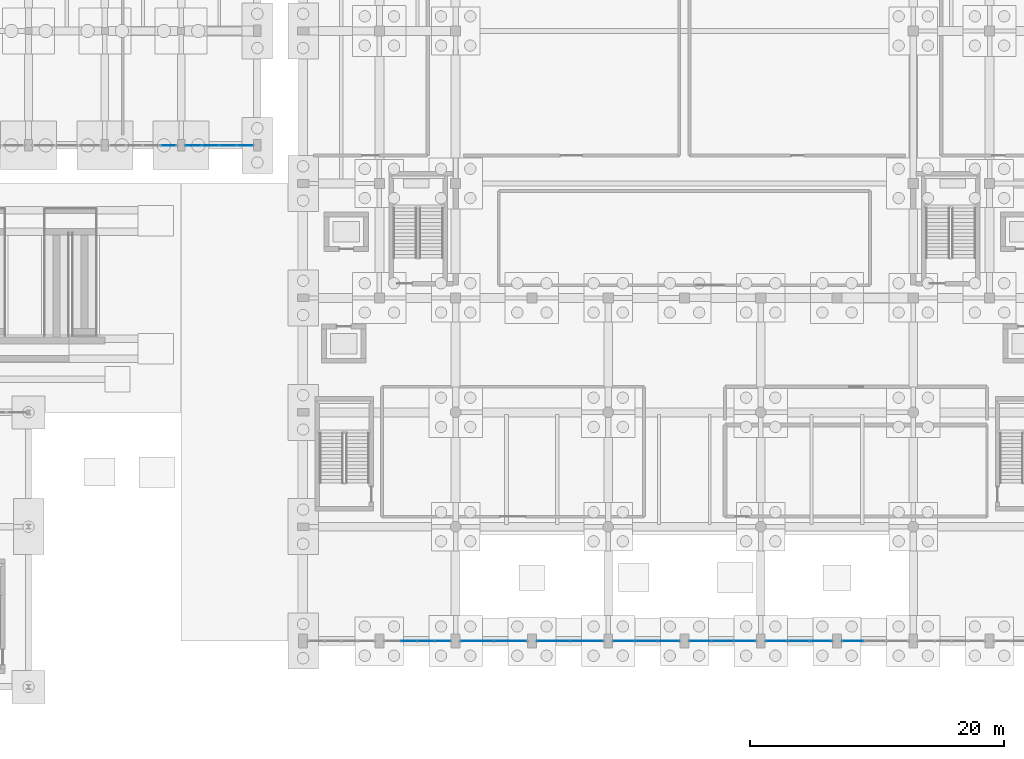
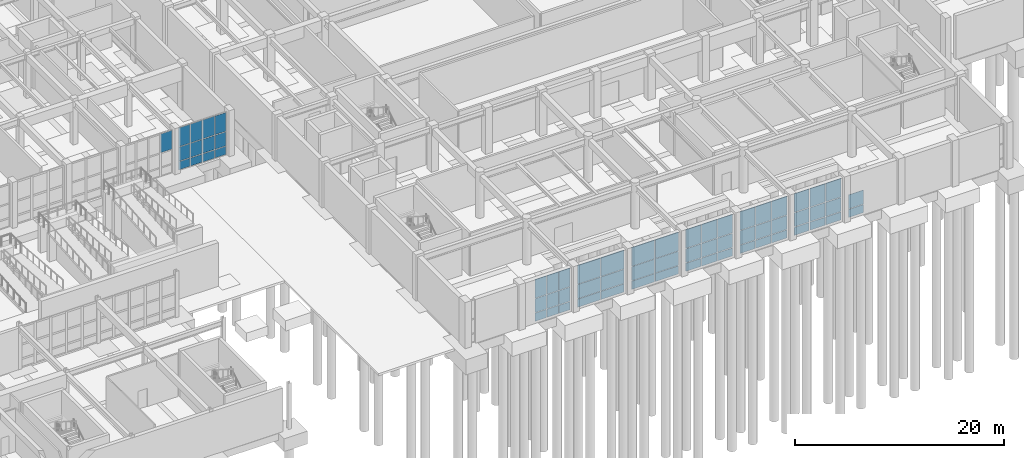
# One storey, part 44 of 69: 63 plates, 9 elements without a shape of their own.
"""IFC4 building model written with IfcOpenShell, lengths in metres."""

from ifc_helpers import new_model, si_unit, direction, frame, origin, origin_2d, place, context, subcontext, project, spatial, rectangle, extrude, material, layer, layer_set, type_object, element, aggregate, save


model = new_model("IFC4")

# Units and contexts
model_context = context("Model", 3, precision=1e-05, world=origin(), true_north=direction((0.0, 1.0)))
body_context = subcontext(model_context, "Body", "Model", "MODEL_VIEW")
ifc_project = project(units=[si_unit("LENGTHUNIT", "METRE"), si_unit("AREAUNIT", "SQUARE_METRE"), si_unit("VOLUMEUNIT", "CUBIC_METRE"), si_unit("PLANEANGLEUNIT", "RADIAN"), si_unit("MASSUNIT", "GRAM", prefix="KILO")], contexts=[model_context])

# Site, building, storey
site_placement = place(None, origin())
site = spatial("IfcSite", under=ifc_project, at=site_placement, CompositionType="ELEMENT")
building_placement = place(site_placement, origin())
building = spatial("IfcBuilding", under=site, at=building_placement, Name="Vaelkrest Opera House", CompositionType="ELEMENT")
storey_placement = place(building_placement, frame((0.0, 0.0, -5.39990234375)))
storey = spatial("IfcBuildingStorey", under=building, at=storey_placement, Name="B1", CompositionType="ELEMENT", Elevation=-5.39990234375)

# Curtain wall, plates
ifc_material_1 = material(Name="Dark bronze anodized aluminium", Category="aluminium")
ifc_layer_1 = layer(ifc_material_1, 0.179931640625)
ifc_layer_set_1 = layer_set([ifc_layer_1], Name="Dark bronze anodized aluminium")
curtain_wall_type_1 = type_object("IfcCurtainWallType", Name="CW01", PredefinedType="NOTDEFINED", material=ifc_layer_set_1)
curtain_wall_1_placement = place(storey_placement, origin())
curtain_wall_1 = element("IfcCurtainWall", 1, at=curtain_wall_1_placement, inside=storey, type_object=curtain_wall_type_1, Name="Curtain wall CW-B1-009", PredefinedType="NOTDEFINED")
ifc_material_2 = material(Name="Double low-E insulated glazing", Category="glass")
ifc_layer_2 = layer(ifc_material_2, 0.02587890625)
ifc_layer_set_2 = layer_set([ifc_layer_2], Name="Double low-E insulated glazing")
plate_type_1 = type_object("IfcPlateType", Name="CWP01", PredefinedType="CURTAIN_PANEL", material=ifc_layer_set_2)
plate_1_placement = place(storey_placement, frame((-19.02734375, -55.800048828125, 0.06494140625), z_axis=(0.0, 0.0, 1.0), x_axis=(-1.0, 0.0, 0.0)))
plate_1 = element("IfcPlate", 2, at=plate_1_placement, type_object=plate_type_1, Name="CW01 panel 1.1", PredefinedType="CURTAIN_PANEL", context=body_context, shape_type="SweptSolid", body=[
    extrude(rectangle(XDim=1.228515625, YDim=0.02587890625, at=origin_2d()), origin(), (0.0, 0.0, 1.0), 0.952392578125),
])
plate_2_placement = place(storey_placement, frame((-19.02734375, -55.800048828125, 1.08251953125), z_axis=(0.0, 0.0, 1.0), x_axis=(-1.0, 0.0, 0.0)))
plate_2 = element("IfcPlate", 3, at=plate_2_placement, type_object=plate_type_1, Name="CW01 panel 1.2", PredefinedType="CURTAIN_PANEL", context=body_context, shape_type="SweptSolid", body=[
    extrude(rectangle(XDim=1.228515625, YDim=0.02587890625, at=origin_2d()), origin(), (0.0, 0.0, 1.0), 1.635009765625),
])
plate_3_placement = place(storey_placement, frame((-19.02734375, -55.800048828125, 2.7822265625), z_axis=(0.0, 0.0, 1.0), x_axis=(-1.0, 0.0, 0.0)))
plate_3 = element("IfcPlate", 4, at=plate_3_placement, type_object=plate_type_1, Name="CW01 panel 1.3", PredefinedType="CURTAIN_PANEL", context=body_context, shape_type="SweptSolid", body=[
    extrude(rectangle(XDim=1.228515625, YDim=0.02587890625, at=origin_2d()), origin(), (0.0, 0.0, 1.0), 2.202392578125),
])
plate_4_placement = place(storey_placement, frame((-20.3369140625, -55.800048828125, 0.06494140625), z_axis=(0.0, 0.0, 1.0), x_axis=(-1.0, 0.0, 0.0)))
plate_4 = element("IfcPlate", 5, at=plate_4_placement, type_object=plate_type_1, Name="CW01 panel 2.1", PredefinedType="CURTAIN_PANEL", context=body_context, shape_type="SweptSolid", body=[
    extrude(rectangle(XDim=1.260986328125, YDim=0.02587890625, at=origin_2d()), origin(), (0.0, 0.0, 1.0), 0.952392578125),
])
plate_5_placement = place(storey_placement, frame((-20.3369140625, -55.800048828125, 1.08251953125), z_axis=(0.0, 0.0, 1.0), x_axis=(-1.0, 0.0, 0.0)))
plate_5 = element("IfcPlate", 6, at=plate_5_placement, type_object=plate_type_1, Name="CW01 panel 2.2", PredefinedType="CURTAIN_PANEL", context=body_context, shape_type="SweptSolid", body=[
    extrude(rectangle(XDim=1.260986328125, YDim=0.02587890625, at=origin_2d()), origin(), (0.0, 0.0, 1.0), 1.635009765625),
])
plate_6_placement = place(storey_placement, frame((-20.3369140625, -55.800048828125, 2.7822265625), z_axis=(0.0, 0.0, 1.0), x_axis=(-1.0, 0.0, 0.0)))
plate_6 = element("IfcPlate", 7, at=plate_6_placement, type_object=plate_type_1, Name="CW01 panel 2.3", PredefinedType="CURTAIN_PANEL", context=body_context, shape_type="SweptSolid", body=[
    extrude(rectangle(XDim=1.260986328125, YDim=0.02587890625, at=origin_2d()), origin(), (0.0, 0.0, 1.0), 2.202392578125),
])
plate_7_placement = place(storey_placement, frame((-21.6630859375, -55.800048828125, 0.06494140625), z_axis=(0.0, 0.0, 1.0), x_axis=(-1.0, 0.0, 0.0)))
plate_7 = element("IfcPlate", 8, at=plate_7_placement, type_object=plate_type_1, Name="CW01 panel 3.1", PredefinedType="CURTAIN_PANEL", context=body_context, shape_type="SweptSolid", body=[
    extrude(rectangle(XDim=1.260986328125, YDim=0.02587890625, at=origin_2d()), origin(), (0.0, 0.0, 1.0), 0.952392578125),
])
plate_8_placement = place(storey_placement, frame((-21.6630859375, -55.800048828125, 1.08251953125), z_axis=(0.0, 0.0, 1.0), x_axis=(-1.0, 0.0, 0.0)))
plate_8 = element("IfcPlate", 9, at=plate_8_placement, type_object=plate_type_1, Name="CW01 panel 3.2", PredefinedType="CURTAIN_PANEL", context=body_context, shape_type="SweptSolid", body=[
    extrude(rectangle(XDim=1.260986328125, YDim=0.02587890625, at=origin_2d()), origin(), (0.0, 0.0, 1.0), 1.635009765625),
])
plate_9_placement = place(storey_placement, frame((-21.6630859375, -55.800048828125, 2.7822265625), z_axis=(0.0, 0.0, 1.0), x_axis=(-1.0, 0.0, 0.0)))
plate_9 = element("IfcPlate", 10, at=plate_9_placement, type_object=plate_type_1, Name="CW01 panel 3.3", PredefinedType="CURTAIN_PANEL", context=body_context, shape_type="SweptSolid", body=[
    extrude(rectangle(XDim=1.260986328125, YDim=0.02587890625, at=origin_2d()), origin(), (0.0, 0.0, 1.0), 2.202392578125),
])
aggregate(curtain_wall_1, [plate_1, plate_2, plate_3, plate_4, plate_5, plate_6, plate_7, plate_8, plate_9])

curtain_wall_2_placement = place(storey_placement, origin())
curtain_wall_2 = element("IfcCurtainWall", 11, at=curtain_wall_2_placement, inside=storey, type_object=curtain_wall_type_1, Name="Curtain wall CW-B1-081", PredefinedType="NOTDEFINED")
plate_10_placement = place(storey_placement, frame((-34.58984375, -16.800048828125, 0.06494140625), z_axis=(0.0, 0.0, 1.0), x_axis=(-1.0, 0.0, 0.0)))
plate_10 = element("IfcPlate", 12, at=plate_10_placement, type_object=plate_type_1, Name="CW01 panel 1.1", PredefinedType="CURTAIN_PANEL", context=body_context, shape_type="SweptSolid", body=[
    extrude(rectangle(XDim=1.25341796875, YDim=0.02587890625, at=origin_2d()), origin(), (0.0, 0.0, 1.0), 0.952392578125),
])
plate_11_placement = place(storey_placement, frame((-34.58984375, -16.800048828125, 1.08251953125), z_axis=(0.0, 0.0, 1.0), x_axis=(-1.0, 0.0, 0.0)))
plate_11 = element("IfcPlate", 13, at=plate_11_placement, type_object=plate_type_1, Name="CW01 panel 1.2", PredefinedType="CURTAIN_PANEL", context=body_context, shape_type="SweptSolid", body=[
    extrude(rectangle(XDim=1.25341796875, YDim=0.02587890625, at=origin_2d()), origin(), (0.0, 0.0, 1.0), 1.635009765625),
])
plate_12_placement = place(storey_placement, frame((-34.58984375, -16.800048828125, 2.7822265625), z_axis=(0.0, 0.0, 1.0), x_axis=(-1.0, 0.0, 0.0)))
plate_12 = element("IfcPlate", 14, at=plate_12_placement, type_object=plate_type_1, Name="CW01 panel 1.3", PredefinedType="CURTAIN_PANEL", context=body_context, shape_type="SweptSolid", body=[
    extrude(rectangle(XDim=1.25341796875, YDim=0.02587890625, at=origin_2d()), origin(), (0.0, 0.0, 1.0), 2.202392578125),
])
plate_13_placement = place(storey_placement, frame((-35.924560546875, -16.800048828125, 0.06494140625), z_axis=(0.0, 0.0, 1.0), x_axis=(-1.0, 0.0, 0.0)))
plate_13 = element("IfcPlate", 15, at=plate_13_placement, type_object=plate_type_1, Name="CW01 panel 2.1", PredefinedType="CURTAIN_PANEL", context=body_context, shape_type="SweptSolid", body=[
    extrude(rectangle(XDim=1.285888671875, YDim=0.02587890625, at=origin_2d()), origin(), (0.0, 0.0, 1.0), 0.952392578125),
])
plate_14_placement = place(storey_placement, frame((-35.924560546875, -16.800048828125, 1.08251953125), z_axis=(0.0, 0.0, 1.0), x_axis=(-1.0, 0.0, 0.0)))
plate_14 = element("IfcPlate", 16, at=plate_14_placement, type_object=plate_type_1, Name="CW01 panel 2.2", PredefinedType="CURTAIN_PANEL", context=body_context, shape_type="SweptSolid", body=[
    extrude(rectangle(XDim=1.285888671875, YDim=0.02587890625, at=origin_2d()), origin(), (0.0, 0.0, 1.0), 1.635009765625),
])
plate_15_placement = place(storey_placement, frame((-35.924560546875, -16.800048828125, 2.7822265625), z_axis=(0.0, 0.0, 1.0), x_axis=(-1.0, 0.0, 0.0)))
plate_15 = element("IfcPlate", 17, at=plate_15_placement, type_object=plate_type_1, Name="CW01 panel 2.3", PredefinedType="CURTAIN_PANEL", context=body_context, shape_type="SweptSolid", body=[
    extrude(rectangle(XDim=1.285888671875, YDim=0.02587890625, at=origin_2d()), origin(), (0.0, 0.0, 1.0), 2.202392578125),
])
plate_16_placement = place(storey_placement, frame((-37.275390625, -16.800048828125, 0.06494140625), z_axis=(0.0, 0.0, 1.0), x_axis=(-1.0, 0.0, 0.0)))
plate_16 = element("IfcPlate", 18, at=plate_16_placement, type_object=plate_type_1, Name="CW01 panel 3.1", PredefinedType="CURTAIN_PANEL", context=body_context, shape_type="SweptSolid", body=[
    extrude(rectangle(XDim=1.285888671875, YDim=0.02587890625, at=origin_2d()), origin(), (0.0, 0.0, 1.0), 0.952392578125),
])
plate_17_placement = place(storey_placement, frame((-37.275390625, -16.800048828125, 1.08251953125), z_axis=(0.0, 0.0, 1.0), x_axis=(-1.0, 0.0, 0.0)))
plate_17 = element("IfcPlate", 19, at=plate_17_placement, type_object=plate_type_1, Name="CW01 panel 3.2", PredefinedType="CURTAIN_PANEL", context=body_context, shape_type="SweptSolid", body=[
    extrude(rectangle(XDim=1.285888671875, YDim=0.02587890625, at=origin_2d()), origin(), (0.0, 0.0, 1.0), 1.635009765625),
])
plate_18_placement = place(storey_placement, frame((-37.275390625, -16.800048828125, 2.7822265625), z_axis=(0.0, 0.0, 1.0), x_axis=(-1.0, 0.0, 0.0)))
plate_18 = element("IfcPlate", 20, at=plate_18_placement, type_object=plate_type_1, Name="CW01 panel 3.3", PredefinedType="CURTAIN_PANEL", context=body_context, shape_type="SweptSolid", body=[
    extrude(rectangle(XDim=1.285888671875, YDim=0.02587890625, at=origin_2d()), origin(), (0.0, 0.0, 1.0), 2.202392578125),
])
plate_19_placement = place(storey_placement, frame((-38.6103515625, -16.800048828125, 0.06494140625), z_axis=(0.0, 0.0, 1.0), x_axis=(-1.0, 0.0, 0.0)))
plate_19 = element("IfcPlate", 21, at=plate_19_placement, type_object=plate_type_1, Name="CW01 panel 4.1", PredefinedType="CURTAIN_PANEL", context=body_context, shape_type="SweptSolid", body=[
    extrude(rectangle(XDim=1.25341796875, YDim=0.02587890625, at=origin_2d()), origin(), (0.0, 0.0, 1.0), 0.952392578125),
])
plate_20_placement = place(storey_placement, frame((-38.6103515625, -16.800048828125, 1.08251953125), z_axis=(0.0, 0.0, 1.0), x_axis=(-1.0, 0.0, 0.0)))
plate_20 = element("IfcPlate", 22, at=plate_20_placement, type_object=plate_type_1, Name="CW01 panel 4.2", PredefinedType="CURTAIN_PANEL", context=body_context, shape_type="SweptSolid", body=[
    extrude(rectangle(XDim=1.25341796875, YDim=0.02587890625, at=origin_2d()), origin(), (0.0, 0.0, 1.0), 1.635009765625),
])
plate_21_placement = place(storey_placement, frame((-38.6103515625, -16.800048828125, 2.7822265625), z_axis=(0.0, 0.0, 1.0), x_axis=(-1.0, 0.0, 0.0)))
plate_21 = element("IfcPlate", 23, at=plate_21_placement, type_object=plate_type_1, Name="CW01 panel 4.3", PredefinedType="CURTAIN_PANEL", context=body_context, shape_type="SweptSolid", body=[
    extrude(rectangle(XDim=1.25341796875, YDim=0.02587890625, at=origin_2d()), origin(), (0.0, 0.0, 1.0), 2.202392578125),
])
aggregate(curtain_wall_2, [plate_10, plate_11, plate_12, plate_13, plate_14, plate_15, plate_16, plate_17, plate_18, plate_19, plate_20, plate_21])

# Curtain wall, plate
ifc_layer_3 = layer(ifc_material_1, 0.18994140625)
ifc_layer_set_3 = layer_set([ifc_layer_3], Name="Dark bronze anodized aluminium")
curtain_wall_type_2 = type_object("IfcCurtainWallType", Name="CW02", PredefinedType="NOTDEFINED", material=ifc_layer_set_3)
curtain_wall_3_placement = place(storey_placement, origin())
curtain_wall_3 = element("IfcCurtainWall", 24, at=curtain_wall_3_placement, inside=storey, type_object=curtain_wall_type_2, Name="Curtain wall CW-B1-082", PredefinedType="NOTDEFINED")
ifc_layer_4 = layer(ifc_material_2, 0.030029296875)
ifc_layer_set_4 = layer_set([ifc_layer_4], Name="Double low-E insulated glazing")
plate_type_2 = type_object("IfcPlateType", Name="CWP02", PredefinedType="CURTAIN_PANEL", material=ifc_layer_set_4)
plate_22_placement = place(storey_placement, frame((-40.591064453125, -16.800048828125, 2.78466796875), z_axis=(0.0, 0.0, 1.0), x_axis=(-1.0, 0.0, 0.0)))
plate_22 = element("IfcPlate", 25, at=plate_22_placement, type_object=plate_type_2, Name="CW02 panel 1.3", PredefinedType="CURTAIN_PANEL", context=body_context, shape_type="SweptSolid", body=[
    extrude(rectangle(XDim=1.24609375, YDim=0.030029296875, at=origin_2d()), origin(), (0.0, 0.0, 1.0), 2.195068359375),
])
aggregate(curtain_wall_3, [plate_22])

# Curtain wall, plates
ifc_layer_5 = layer(ifc_material_1, 0.199951171875)
ifc_layer_set_5 = layer_set([ifc_layer_5], Name="Dark bronze anodized aluminium")
curtain_wall_type_3 = type_object("IfcCurtainWallType", Name="CW03", PredefinedType="NOTDEFINED", material=ifc_layer_set_5)
curtain_wall_4_placement = place(storey_placement, origin())
curtain_wall_4 = element("IfcCurtainWall", 26, at=curtain_wall_4_placement, inside=storey, type_object=curtain_wall_type_3, Name="Curtain wall CW-B1-003", PredefinedType="NOTDEFINED")
ifc_layer_6 = layer(ifc_material_2, 0.033935546875)
ifc_layer_set_6 = layer_set([ifc_layer_6], Name="Double low-E insulated glazing")
plate_type_3 = type_object("IfcPlateType", Name="CWP03", PredefinedType="CURTAIN_PANEL", material=ifc_layer_set_6)
plate_23_placement = place(storey_placement, frame((13.250732421875, -55.800048828125, 0.074951171875), z_axis=(0.0, 0.0, 1.0), x_axis=(-1.0, 0.0, 0.0)))
plate_23 = element("IfcPlate", 27, at=plate_23_placement, type_object=plate_type_3, Name="CW03 panel 3.1", PredefinedType="CURTAIN_PANEL", context=body_context, shape_type="SweptSolid", body=[
    extrude(rectangle(XDim=1.655517578125, YDim=0.033935546875, at=origin_2d()), origin(), (0.0, 0.0, 1.0), 0.9375),
])
plate_24_placement = place(storey_placement, frame((13.250732421875, -55.800048828125, 1.08740234375), z_axis=(0.0, 0.0, 1.0), x_axis=(-1.0, 0.0, 0.0)))
plate_24 = element("IfcPlate", 28, at=plate_24_placement, type_object=plate_type_3, Name="CW03 panel 3.2", PredefinedType="CURTAIN_PANEL", context=body_context, shape_type="SweptSolid", body=[
    extrude(rectangle(XDim=1.655517578125, YDim=0.033935546875, at=origin_2d()), origin(), (0.0, 0.0, 1.0), 1.625),
])
aggregate(curtain_wall_4, [plate_23, plate_24])

ifc_layer_7 = layer(ifc_material_1, 0.2099609375)
ifc_layer_set_7 = layer_set([ifc_layer_7], Name="Dark bronze anodized aluminium")
curtain_wall_type_4 = type_object("IfcCurtainWallType", Name="CW04", PredefinedType="NOTDEFINED", material=ifc_layer_set_7)
curtain_wall_5_placement = place(storey_placement, origin())
curtain_wall_5 = element("IfcCurtainWall", 29, at=curtain_wall_5_placement, inside=storey, type_object=curtain_wall_type_4, Name="Curtain wall CW-B1-004", PredefinedType="NOTDEFINED")
ifc_layer_8 = layer(ifc_material_2, 0.0380859375)
ifc_layer_set_8 = layer_set([ifc_layer_8], Name="Double low-E insulated glazing")
plate_type_4 = type_object("IfcPlateType", Name="CWP04", PredefinedType="CURTAIN_PANEL", material=ifc_layer_set_8)
plate_25_placement = place(storey_placement, frame((10.748046875, -55.800048828125, 0.080078125), z_axis=(0.0, 0.0, 1.0), x_axis=(-1.0, 0.0, 0.0)))
plate_25 = element("IfcPlate", 30, at=plate_25_placement, type_object=plate_type_4, Name="CW04 panel 1.1", PredefinedType="CURTAIN_PANEL", context=body_context, shape_type="SweptSolid", body=[
    extrude(rectangle(XDim=1.64794921875, YDim=0.0380859375, at=origin_2d()), origin(), (0.0, 0.0, 1.0), 0.929931640625),
])
plate_26_placement = place(storey_placement, frame((10.748046875, -55.800048828125, 1.08984375), z_axis=(0.0, 0.0, 1.0), x_axis=(-1.0, 0.0, 0.0)))
plate_26 = element("IfcPlate", 31, at=plate_26_placement, type_object=plate_type_4, Name="CW04 panel 1.2", PredefinedType="CURTAIN_PANEL", context=body_context, shape_type="SweptSolid", body=[
    extrude(rectangle(XDim=1.64794921875, YDim=0.0380859375, at=origin_2d()), origin(), (0.0, 0.0, 1.0), 1.6201171875),
])
plate_27_placement = place(storey_placement, frame((10.748046875, -55.800048828125, 2.7900390625), z_axis=(0.0, 0.0, 1.0), x_axis=(-1.0, 0.0, 0.0)))
plate_27 = element("IfcPlate", 32, at=plate_27_placement, type_object=plate_type_4, Name="CW04 panel 1.3", PredefinedType="CURTAIN_PANEL", context=body_context, shape_type="SweptSolid", body=[
    extrude(rectangle(XDim=1.64794921875, YDim=0.0380859375, at=origin_2d()), origin(), (0.0, 0.0, 1.0), 2.179931640625),
])
plate_28_placement = place(storey_placement, frame((9.0, -55.800048828125, 0.080078125), z_axis=(0.0, 0.0, 1.0), x_axis=(-1.0, 0.0, 0.0)))
plate_28 = element("IfcPlate", 33, at=plate_28_placement, type_object=plate_type_4, Name="CW04 panel 2.1", PredefinedType="CURTAIN_PANEL", context=body_context, shape_type="SweptSolid", body=[
    extrude(rectangle(XDim=1.68798828125, YDim=0.0380859375, at=origin_2d()), origin(), (0.0, 0.0, 1.0), 0.929931640625),
])
plate_29_placement = place(storey_placement, frame((9.0, -55.800048828125, 1.08984375), z_axis=(0.0, 0.0, 1.0), x_axis=(-1.0, 0.0, 0.0)))
plate_29 = element("IfcPlate", 34, at=plate_29_placement, type_object=plate_type_4, Name="CW04 panel 2.2", PredefinedType="CURTAIN_PANEL", context=body_context, shape_type="SweptSolid", body=[
    extrude(rectangle(XDim=1.68798828125, YDim=0.0380859375, at=origin_2d()), origin(), (0.0, 0.0, 1.0), 1.6201171875),
])
plate_30_placement = place(storey_placement, frame((9.0, -55.800048828125, 2.7900390625), z_axis=(0.0, 0.0, 1.0), x_axis=(-1.0, 0.0, 0.0)))
plate_30 = element("IfcPlate", 35, at=plate_30_placement, type_object=plate_type_4, Name="CW04 panel 2.3", PredefinedType="CURTAIN_PANEL", context=body_context, shape_type="SweptSolid", body=[
    extrude(rectangle(XDim=1.68798828125, YDim=0.0380859375, at=origin_2d()), origin(), (0.0, 0.0, 1.0), 2.179931640625),
])
plate_31_placement = place(storey_placement, frame((7.251953125, -55.800048828125, 0.080078125), z_axis=(0.0, 0.0, 1.0), x_axis=(-1.0, 0.0, 0.0)))
plate_31 = element("IfcPlate", 36, at=plate_31_placement, type_object=plate_type_4, Name="CW04 panel 3.1", PredefinedType="CURTAIN_PANEL", context=body_context, shape_type="SweptSolid", body=[
    extrude(rectangle(XDim=1.64794921875, YDim=0.0380859375, at=origin_2d()), origin(), (0.0, 0.0, 1.0), 0.929931640625),
])
plate_32_placement = place(storey_placement, frame((7.251953125, -55.800048828125, 1.08984375), z_axis=(0.0, 0.0, 1.0), x_axis=(-1.0, 0.0, 0.0)))
plate_32 = element("IfcPlate", 37, at=plate_32_placement, type_object=plate_type_4, Name="CW04 panel 3.2", PredefinedType="CURTAIN_PANEL", context=body_context, shape_type="SweptSolid", body=[
    extrude(rectangle(XDim=1.64794921875, YDim=0.0380859375, at=origin_2d()), origin(), (0.0, 0.0, 1.0), 1.6201171875),
])
plate_33_placement = place(storey_placement, frame((7.251953125, -55.800048828125, 2.7900390625), z_axis=(0.0, 0.0, 1.0), x_axis=(-1.0, 0.0, 0.0)))
plate_33 = element("IfcPlate", 38, at=plate_33_placement, type_object=plate_type_4, Name="CW04 panel 3.3", PredefinedType="CURTAIN_PANEL", context=body_context, shape_type="SweptSolid", body=[
    extrude(rectangle(XDim=1.64794921875, YDim=0.0380859375, at=origin_2d()), origin(), (0.0, 0.0, 1.0), 2.179931640625),
])
aggregate(curtain_wall_5, [plate_25, plate_26, plate_27, plate_28, plate_29, plate_30, plate_31, plate_32, plate_33])

ifc_layer_9 = layer(ifc_material_1, 0.219970703125)
ifc_layer_set_9 = layer_set([ifc_layer_9], Name="Dark bronze anodized aluminium")
curtain_wall_type_5 = type_object("IfcCurtainWallType", Name="CW05", PredefinedType="NOTDEFINED", material=ifc_layer_set_9)
curtain_wall_6_placement = place(storey_placement, origin())
curtain_wall_6 = element("IfcCurtainWall", 39, at=curtain_wall_6_placement, inside=storey, type_object=curtain_wall_type_5, Name="Curtain wall CW-B1-005", PredefinedType="NOTDEFINED")
ifc_layer_10 = layer(ifc_material_2, 0.0419921875)
ifc_layer_set_10 = layer_set([ifc_layer_10], Name="Double low-E insulated glazing")
plate_type_5 = type_object("IfcPlateType", Name="CWP05", PredefinedType="CURTAIN_PANEL", material=ifc_layer_set_10)
plate_34_placement = place(storey_placement, frame((4.751708984375, -55.800048828125, 0.074951171875), z_axis=(0.0, 0.0, 1.0), x_axis=(-1.0, 0.0, 0.0)))
plate_34 = element("IfcPlate", 40, at=plate_34_placement, type_object=plate_type_5, Name="CW05 panel 1.1", PredefinedType="CURTAIN_PANEL", context=body_context, shape_type="SweptSolid", body=[
    extrude(rectangle(XDim=1.67041015625, YDim=0.0419921875, at=origin_2d()), origin(), (0.0, 0.0, 1.0), 0.9375),
])
plate_35_placement = place(storey_placement, frame((4.751708984375, -55.800048828125, 1.08740234375), z_axis=(0.0, 0.0, 1.0), x_axis=(-1.0, 0.0, 0.0)))
plate_35 = element("IfcPlate", 41, at=plate_35_placement, type_object=plate_type_5, Name="CW05 panel 1.2", PredefinedType="CURTAIN_PANEL", context=body_context, shape_type="SweptSolid", body=[
    extrude(rectangle(XDim=1.67041015625, YDim=0.0419921875, at=origin_2d()), origin(), (0.0, 0.0, 1.0), 1.625),
])
plate_36_placement = place(storey_placement, frame((4.751708984375, -55.800048828125, 2.787353515625), z_axis=(0.0, 0.0, 1.0), x_axis=(-1.0, 0.0, 0.0)))
plate_36 = element("IfcPlate", 42, at=plate_36_placement, type_object=plate_type_5, Name="CW05 panel 1.3", PredefinedType="CURTAIN_PANEL", context=body_context, shape_type="SweptSolid", body=[
    extrude(rectangle(XDim=1.67041015625, YDim=0.0419921875, at=origin_2d()), origin(), (0.0, 0.0, 1.0), 2.1875),
])
plate_37_placement = place(storey_placement, frame((3.0, -55.800048828125, 0.074951171875), z_axis=(0.0, 0.0, 1.0), x_axis=(-1.0, 0.0, 0.0)))
plate_37 = element("IfcPlate", 43, at=plate_37_placement, type_object=plate_type_5, Name="CW05 panel 2.1", PredefinedType="CURTAIN_PANEL", context=body_context, shape_type="SweptSolid", body=[
    extrude(rectangle(XDim=1.702880859375, YDim=0.0419921875, at=origin_2d()), origin(), (0.0, 0.0, 1.0), 0.9375),
])
plate_38_placement = place(storey_placement, frame((3.0, -55.800048828125, 1.08740234375), z_axis=(0.0, 0.0, 1.0), x_axis=(-1.0, 0.0, 0.0)))
plate_38 = element("IfcPlate", 44, at=plate_38_placement, type_object=plate_type_5, Name="CW05 panel 2.2", PredefinedType="CURTAIN_PANEL", context=body_context, shape_type="SweptSolid", body=[
    extrude(rectangle(XDim=1.702880859375, YDim=0.0419921875, at=origin_2d()), origin(), (0.0, 0.0, 1.0), 1.625),
])
plate_39_placement = place(storey_placement, frame((3.0, -55.800048828125, 2.787353515625), z_axis=(0.0, 0.0, 1.0), x_axis=(-1.0, 0.0, 0.0)))
plate_39 = element("IfcPlate", 45, at=plate_39_placement, type_object=plate_type_5, Name="CW05 panel 2.3", PredefinedType="CURTAIN_PANEL", context=body_context, shape_type="SweptSolid", body=[
    extrude(rectangle(XDim=1.702880859375, YDim=0.0419921875, at=origin_2d()), origin(), (0.0, 0.0, 1.0), 2.1875),
])
plate_40_placement = place(storey_placement, frame((1.248291015625, -55.800048828125, 0.074951171875), z_axis=(0.0, 0.0, 1.0), x_axis=(-1.0, 0.0, 0.0)))
plate_40 = element("IfcPlate", 46, at=plate_40_placement, type_object=plate_type_5, Name="CW05 panel 3.1", PredefinedType="CURTAIN_PANEL", context=body_context, shape_type="SweptSolid", body=[
    extrude(rectangle(XDim=1.67041015625, YDim=0.0419921875, at=origin_2d()), origin(), (0.0, 0.0, 1.0), 0.9375),
])
plate_41_placement = place(storey_placement, frame((1.248291015625, -55.800048828125, 1.08740234375), z_axis=(0.0, 0.0, 1.0), x_axis=(-1.0, 0.0, 0.0)))
plate_41 = element("IfcPlate", 47, at=plate_41_placement, type_object=plate_type_5, Name="CW05 panel 3.2", PredefinedType="CURTAIN_PANEL", context=body_context, shape_type="SweptSolid", body=[
    extrude(rectangle(XDim=1.67041015625, YDim=0.0419921875, at=origin_2d()), origin(), (0.0, 0.0, 1.0), 1.625),
])
plate_42_placement = place(storey_placement, frame((1.248291015625, -55.800048828125, 2.787353515625), z_axis=(0.0, 0.0, 1.0), x_axis=(-1.0, 0.0, 0.0)))
plate_42 = element("IfcPlate", 48, at=plate_42_placement, type_object=plate_type_5, Name="CW05 panel 3.3", PredefinedType="CURTAIN_PANEL", context=body_context, shape_type="SweptSolid", body=[
    extrude(rectangle(XDim=1.67041015625, YDim=0.0419921875, at=origin_2d()), origin(), (0.0, 0.0, 1.0), 2.1875),
])
aggregate(curtain_wall_6, [plate_34, plate_35, plate_36, plate_37, plate_38, plate_39, plate_40, plate_41, plate_42])

ifc_layer_11 = layer(ifc_material_1, 0.22998046875)
ifc_layer_set_11 = layer_set([ifc_layer_11], Name="Dark bronze anodized aluminium")
curtain_wall_type_6 = type_object("IfcCurtainWallType", Name="CW06", PredefinedType="NOTDEFINED", material=ifc_layer_set_11)
curtain_wall_7_placement = place(storey_placement, origin())
curtain_wall_7 = element("IfcCurtainWall", 49, at=curtain_wall_7_placement, inside=storey, type_object=curtain_wall_type_6, Name="Curtain wall CW-B1-006", PredefinedType="NOTDEFINED")
ifc_material_3 = material(Name="Dark bronze anodized aluminium spandrel", Category="aluminium")
ifc_layer_12 = layer(ifc_material_3, 0.0458984375)
ifc_layer_set_12 = layer_set([ifc_layer_12], Name="Dark bronze anodized aluminium spandrel")
plate_type_6 = type_object("IfcPlateType", Name="CWP06", PredefinedType="CURTAIN_PANEL", material=ifc_layer_set_12)
plate_43_placement = place(storey_placement, frame((-1.24951171875, -55.800048828125, 0.080078125), z_axis=(0.0, 0.0, 1.0), x_axis=(-1.0, 0.0, 0.0)))
plate_43 = element("IfcPlate", 50, at=plate_43_placement, type_object=plate_type_6, Name="CW06 panel 1.1", PredefinedType="CURTAIN_PANEL", context=body_context, shape_type="SweptSolid", body=[
    extrude(rectangle(XDim=1.6630859375, YDim=0.0458984375, at=origin_2d()), origin(), (0.0, 0.0, 1.0), 0.929931640625),
])
plate_44_placement = place(storey_placement, frame((-1.24951171875, -55.800048828125, 1.08984375), z_axis=(0.0, 0.0, 1.0), x_axis=(-1.0, 0.0, 0.0)))
plate_44 = element("IfcPlate", 51, at=plate_44_placement, type_object=plate_type_6, Name="CW06 panel 1.2", PredefinedType="CURTAIN_PANEL", context=body_context, shape_type="SweptSolid", body=[
    extrude(rectangle(XDim=1.6630859375, YDim=0.0458984375, at=origin_2d()), origin(), (0.0, 0.0, 1.0), 1.6201171875),
])
plate_45_placement = place(storey_placement, frame((-1.24951171875, -55.800048828125, 2.7900390625), z_axis=(0.0, 0.0, 1.0), x_axis=(-1.0, 0.0, 0.0)))
plate_45 = element("IfcPlate", 52, at=plate_45_placement, type_object=plate_type_6, Name="CW06 panel 1.3", PredefinedType="CURTAIN_PANEL", context=body_context, shape_type="SweptSolid", body=[
    extrude(rectangle(XDim=1.6630859375, YDim=0.0458984375, at=origin_2d()), origin(), (0.0, 0.0, 1.0), 2.179931640625),
])
plate_46_placement = place(storey_placement, frame((-3.0, -55.800048828125, 0.080078125), z_axis=(0.0, 0.0, 1.0), x_axis=(-1.0, 0.0, 0.0)))
plate_46 = element("IfcPlate", 53, at=plate_46_placement, type_object=plate_type_6, Name="CW06 panel 2.1", PredefinedType="CURTAIN_PANEL", context=body_context, shape_type="SweptSolid", body=[
    extrude(rectangle(XDim=1.697998046875, YDim=0.0458984375, at=origin_2d()), origin(), (0.0, 0.0, 1.0), 0.929931640625),
])
plate_47_placement = place(storey_placement, frame((-3.0, -55.800048828125, 1.08984375), z_axis=(0.0, 0.0, 1.0), x_axis=(-1.0, 0.0, 0.0)))
plate_47 = element("IfcPlate", 54, at=plate_47_placement, type_object=plate_type_6, Name="CW06 panel 2.2", PredefinedType="CURTAIN_PANEL", context=body_context, shape_type="SweptSolid", body=[
    extrude(rectangle(XDim=1.697998046875, YDim=0.0458984375, at=origin_2d()), origin(), (0.0, 0.0, 1.0), 1.6201171875),
])
plate_48_placement = place(storey_placement, frame((-3.0, -55.800048828125, 2.7900390625), z_axis=(0.0, 0.0, 1.0), x_axis=(-1.0, 0.0, 0.0)))
plate_48 = element("IfcPlate", 55, at=plate_48_placement, type_object=plate_type_6, Name="CW06 panel 2.3", PredefinedType="CURTAIN_PANEL", context=body_context, shape_type="SweptSolid", body=[
    extrude(rectangle(XDim=1.697998046875, YDim=0.0458984375, at=origin_2d()), origin(), (0.0, 0.0, 1.0), 2.179931640625),
])
plate_49_placement = place(storey_placement, frame((-4.75048828125, -55.800048828125, 0.080078125), z_axis=(0.0, 0.0, 1.0), x_axis=(-1.0, 0.0, 0.0)))
plate_49 = element("IfcPlate", 56, at=plate_49_placement, type_object=plate_type_6, Name="CW06 panel 3.1", PredefinedType="CURTAIN_PANEL", context=body_context, shape_type="SweptSolid", body=[
    extrude(rectangle(XDim=1.6630859375, YDim=0.0458984375, at=origin_2d()), origin(), (0.0, 0.0, 1.0), 0.929931640625),
])
plate_50_placement = place(storey_placement, frame((-4.75048828125, -55.800048828125, 1.08984375), z_axis=(0.0, 0.0, 1.0), x_axis=(-1.0, 0.0, 0.0)))
plate_50 = element("IfcPlate", 57, at=plate_50_placement, type_object=plate_type_6, Name="CW06 panel 3.2", PredefinedType="CURTAIN_PANEL", context=body_context, shape_type="SweptSolid", body=[
    extrude(rectangle(XDim=1.6630859375, YDim=0.0458984375, at=origin_2d()), origin(), (0.0, 0.0, 1.0), 1.6201171875),
])
plate_51_placement = place(storey_placement, frame((-4.75048828125, -55.800048828125, 2.7900390625), z_axis=(0.0, 0.0, 1.0), x_axis=(-1.0, 0.0, 0.0)))
plate_51 = element("IfcPlate", 58, at=plate_51_placement, type_object=plate_type_6, Name="CW06 panel 3.3", PredefinedType="CURTAIN_PANEL", context=body_context, shape_type="SweptSolid", body=[
    extrude(rectangle(XDim=1.6630859375, YDim=0.0458984375, at=origin_2d()), origin(), (0.0, 0.0, 1.0), 2.179931640625),
])
aggregate(curtain_wall_7, [plate_43, plate_44, plate_45, plate_46, plate_47, plate_48, plate_49, plate_50, plate_51])

ifc_layer_13 = layer(ifc_material_1, 0.239990234375)
ifc_layer_set_13 = layer_set([ifc_layer_13], Name="Dark bronze anodized aluminium")
curtain_wall_type_7 = type_object("IfcCurtainWallType", Name="CW07", PredefinedType="NOTDEFINED", material=ifc_layer_set_13)
curtain_wall_8_placement = place(storey_placement, origin())
curtain_wall_8 = element("IfcCurtainWall", 59, at=curtain_wall_8_placement, inside=storey, type_object=curtain_wall_type_7, Name="Curtain wall CW-B1-007", PredefinedType="NOTDEFINED")
ifc_layer_14 = layer(ifc_material_3, 0.052001953125)
ifc_layer_set_14 = layer_set([ifc_layer_14], Name="Dark bronze anodized aluminium spandrel")
plate_type_7 = type_object("IfcPlateType", Name="CWP07", PredefinedType="CURTAIN_PANEL", material=ifc_layer_set_14)
plate_52_placement = place(storey_placement, frame((-7.69287109375, -55.800048828125, 0.06494140625), z_axis=(0.0, 0.0, 1.0), x_axis=(-1.0, 0.0, 0.0)))
plate_52 = element("IfcPlate", 60, at=plate_52_placement, type_object=plate_type_7, Name="CW07 panel 1.1", PredefinedType="CURTAIN_PANEL", context=body_context, shape_type="SweptSolid", body=[
    extrude(rectangle(XDim=2.53955078125, YDim=0.052001953125, at=origin_2d()), origin(), (0.0, 0.0, 1.0), 0.952392578125),
])
plate_53_placement = place(storey_placement, frame((-7.69287109375, -55.800048828125, 1.08251953125), z_axis=(0.0, 0.0, 1.0), x_axis=(-1.0, 0.0, 0.0)))
plate_53 = element("IfcPlate", 61, at=plate_53_placement, type_object=plate_type_7, Name="CW07 panel 1.2", PredefinedType="CURTAIN_PANEL", context=body_context, shape_type="SweptSolid", body=[
    extrude(rectangle(XDim=2.53955078125, YDim=0.052001953125, at=origin_2d()), origin(), (0.0, 0.0, 1.0), 1.635009765625),
])
plate_54_placement = place(storey_placement, frame((-7.69287109375, -55.800048828125, 2.7822265625), z_axis=(0.0, 0.0, 1.0), x_axis=(-1.0, 0.0, 0.0)))
plate_54 = element("IfcPlate", 62, at=plate_54_placement, type_object=plate_type_7, Name="CW07 panel 1.3", PredefinedType="CURTAIN_PANEL", context=body_context, shape_type="SweptSolid", body=[
    extrude(rectangle(XDim=2.53955078125, YDim=0.052001953125, at=origin_2d()), origin(), (0.0, 0.0, 1.0), 2.202392578125),
])
plate_55_placement = place(storey_placement, frame((-10.30712890625, -55.800048828125, 0.06494140625), z_axis=(0.0, 0.0, 1.0), x_axis=(-1.0, 0.0, 0.0)))
plate_55 = element("IfcPlate", 63, at=plate_55_placement, type_object=plate_type_7, Name="CW07 panel 2.1", PredefinedType="CURTAIN_PANEL", context=body_context, shape_type="SweptSolid", body=[
    extrude(rectangle(XDim=2.53955078125, YDim=0.052001953125, at=origin_2d()), origin(), (0.0, 0.0, 1.0), 0.952392578125),
])
plate_56_placement = place(storey_placement, frame((-10.30712890625, -55.800048828125, 1.08251953125), z_axis=(0.0, 0.0, 1.0), x_axis=(-1.0, 0.0, 0.0)))
plate_56 = element("IfcPlate", 64, at=plate_56_placement, type_object=plate_type_7, Name="CW07 panel 2.2", PredefinedType="CURTAIN_PANEL", context=body_context, shape_type="SweptSolid", body=[
    extrude(rectangle(XDim=2.53955078125, YDim=0.052001953125, at=origin_2d()), origin(), (0.0, 0.0, 1.0), 1.635009765625),
])
plate_57_placement = place(storey_placement, frame((-10.30712890625, -55.800048828125, 2.7822265625), z_axis=(0.0, 0.0, 1.0), x_axis=(-1.0, 0.0, 0.0)))
plate_57 = element("IfcPlate", 65, at=plate_57_placement, type_object=plate_type_7, Name="CW07 panel 2.3", PredefinedType="CURTAIN_PANEL", context=body_context, shape_type="SweptSolid", body=[
    extrude(rectangle(XDim=2.53955078125, YDim=0.052001953125, at=origin_2d()), origin(), (0.0, 0.0, 1.0), 2.202392578125),
])
aggregate(curtain_wall_8, [plate_52, plate_53, plate_54, plate_55, plate_56, plate_57])

ifc_layer_15 = layer(ifc_material_1, 0.25)
ifc_layer_set_15 = layer_set([ifc_layer_15], Name="Dark bronze anodized aluminium")
curtain_wall_type_8 = type_object("IfcCurtainWallType", Name="CW08", PredefinedType="NOTDEFINED", material=ifc_layer_set_15)
curtain_wall_9_placement = place(storey_placement, origin())
curtain_wall_9 = element("IfcCurtainWall", 66, at=curtain_wall_9_placement, inside=storey, type_object=curtain_wall_type_8, Name="Curtain wall CW-B1-008", PredefinedType="NOTDEFINED")
ifc_layer_16 = layer(ifc_material_3, 0.05810546875)
ifc_layer_set_16 = layer_set([ifc_layer_16], Name="Dark bronze anodized aluminium spandrel")
plate_type_8 = type_object("IfcPlateType", Name="CWP08", PredefinedType="CURTAIN_PANEL", material=ifc_layer_set_16)
plate_58_placement = place(storey_placement, frame((-13.694091796875, -55.800048828125, 0.06982421875), z_axis=(0.0, 0.0, 1.0), x_axis=(-1.0, 0.0, 0.0)))
plate_58 = element("IfcPlate", 67, at=plate_58_placement, type_object=plate_type_8, Name="CW08 panel 1.1", PredefinedType="CURTAIN_PANEL", context=body_context, shape_type="SweptSolid", body=[
    extrude(rectangle(XDim=2.531982421875, YDim=0.05810546875, at=origin_2d()), origin(), (0.0, 0.0, 1.0), 0.945068359375),
])
plate_59_placement = place(storey_placement, frame((-13.694091796875, -55.800048828125, 1.0849609375), z_axis=(0.0, 0.0, 1.0), x_axis=(-1.0, 0.0, 0.0)))
plate_59 = element("IfcPlate", 68, at=plate_59_placement, type_object=plate_type_8, Name="CW08 panel 1.2", PredefinedType="CURTAIN_PANEL", context=body_context, shape_type="SweptSolid", body=[
    extrude(rectangle(XDim=2.531982421875, YDim=0.05810546875, at=origin_2d()), origin(), (0.0, 0.0, 1.0), 1.6298828125),
])
plate_60_placement = place(storey_placement, frame((-13.694091796875, -55.800048828125, 2.78466796875), z_axis=(0.0, 0.0, 1.0), x_axis=(-1.0, 0.0, 0.0)))
plate_60 = element("IfcPlate", 69, at=plate_60_placement, type_object=plate_type_8, Name="CW08 panel 1.3", PredefinedType="CURTAIN_PANEL", context=body_context, shape_type="SweptSolid", body=[
    extrude(rectangle(XDim=2.531982421875, YDim=0.05810546875, at=origin_2d()), origin(), (0.0, 0.0, 1.0), 2.195068359375),
])
plate_61_placement = place(storey_placement, frame((-16.305908203125, -55.800048828125, 0.06982421875), z_axis=(0.0, 0.0, 1.0), x_axis=(-1.0, 0.0, 0.0)))
plate_61 = element("IfcPlate", 70, at=plate_61_placement, type_object=plate_type_8, Name="CW08 panel 2.1", PredefinedType="CURTAIN_PANEL", context=body_context, shape_type="SweptSolid", body=[
    extrude(rectangle(XDim=2.531982421875, YDim=0.05810546875, at=origin_2d()), origin(), (0.0, 0.0, 1.0), 0.945068359375),
])
plate_62_placement = place(storey_placement, frame((-16.305908203125, -55.800048828125, 1.0849609375), z_axis=(0.0, 0.0, 1.0), x_axis=(-1.0, 0.0, 0.0)))
plate_62 = element("IfcPlate", 71, at=plate_62_placement, type_object=plate_type_8, Name="CW08 panel 2.2", PredefinedType="CURTAIN_PANEL", context=body_context, shape_type="SweptSolid", body=[
    extrude(rectangle(XDim=2.531982421875, YDim=0.05810546875, at=origin_2d()), origin(), (0.0, 0.0, 1.0), 1.6298828125),
])
plate_63_placement = place(storey_placement, frame((-16.305908203125, -55.800048828125, 2.78466796875), z_axis=(0.0, 0.0, 1.0), x_axis=(-1.0, 0.0, 0.0)))
plate_63 = element("IfcPlate", 72, at=plate_63_placement, type_object=plate_type_8, Name="CW08 panel 2.3", PredefinedType="CURTAIN_PANEL", context=body_context, shape_type="SweptSolid", body=[
    extrude(rectangle(XDim=2.531982421875, YDim=0.05810546875, at=origin_2d()), origin(), (0.0, 0.0, 1.0), 2.195068359375),
])
aggregate(curtain_wall_9, [plate_58, plate_59, plate_60, plate_61, plate_62, plate_63])

save(model, "model.ifc")
